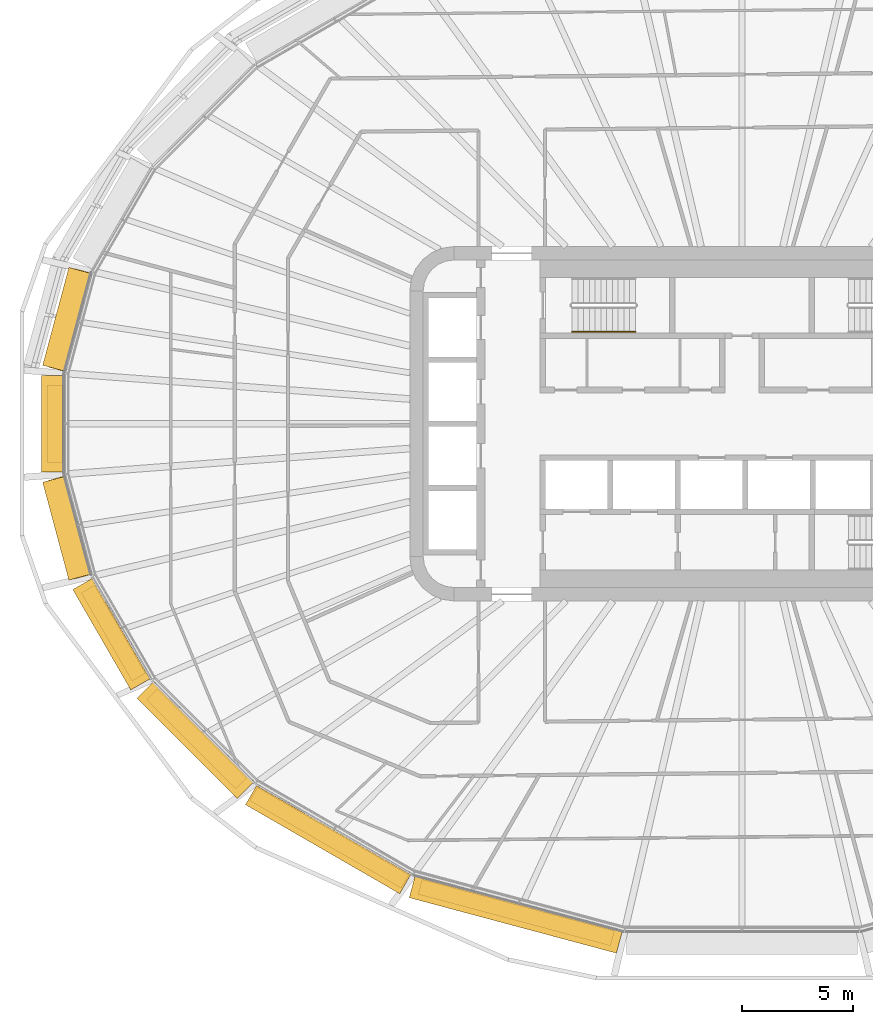
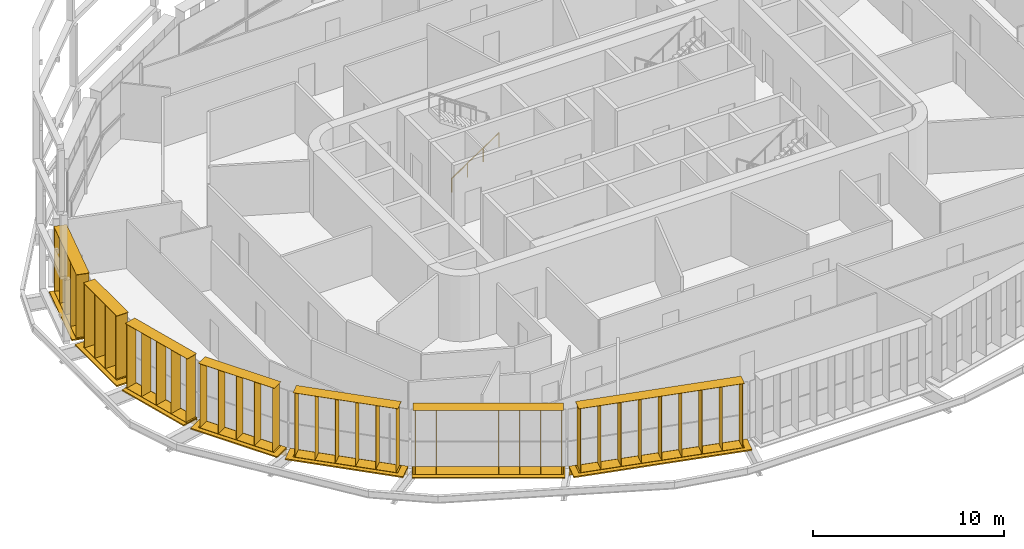
# One storey, part 19 of 24: 14 shading devices, 1 railing.
"""IFC4 building model written with IfcOpenShell, lengths in metres."""

from ifc_helpers import new_model, si_unit, direction, frame, origin, origin_2d, place, context, subcontext, project, spatial, rectangle, circle, extrude, material, type_object, element, save


model = new_model("IFC4")

# Units and contexts
model_context = context("Model", 3, precision=1e-05, world=origin(), true_north=direction((0.0, 1.0)))
body_context = subcontext(model_context, "Body", "Model", "MODEL_VIEW")
ifc_project = project(units=[si_unit("LENGTHUNIT", "METRE"), si_unit("AREAUNIT", "SQUARE_METRE"), si_unit("VOLUMEUNIT", "CUBIC_METRE"), si_unit("PLANEANGLEUNIT", "RADIAN"), si_unit("MASSUNIT", "GRAM", prefix="KILO")], contexts=[model_context])

# Site, building, storey
site_placement = place(None, origin())
site = spatial("IfcSite", under=ifc_project, at=site_placement, CompositionType="ELEMENT")
building_placement = place(site_placement, origin())
building = spatial("IfcBuilding", under=site, at=building_placement, Name="Sahrelin Media Tower", CompositionType="ELEMENT")
storey_placement = place(building_placement, frame((0.0, 0.0, 58.800048828125)))
storey = spatial("IfcBuildingStorey", under=building, at=storey_placement, Name="L09", CompositionType="ELEMENT", Elevation=58.800048828125)

# Shading devices
ifc_material_1 = material(Name="Champagne anodised aluminium 6063-T6", Category="aluminium")
shading_device_type_1 = type_object("IfcShadingDeviceType", Name="Fin cassette", PredefinedType="USERDEFINED", material=ifc_material_1)
placement_1 = place(storey_placement, frame((-30.0009765625, 4.58544921875, 0.0), z_axis=(0.0, 0.0, 1.0), x_axis=(0.258807731996, 0.965928857556, 0.0)))
element("IfcShadingDevice", 1, at=placement_1, inside=storey, type_object=shading_device_type_1, Name="L09:FIN:L09-11", ObjectType="FIN", PredefinedType="USERDEFINED", context=body_context, shape_type="SweptSolid", body=[
    extrude(rectangle(XDim=4.60009765625, YDim=0.699951171875, at=origin_2d()), frame((0.0, 0.419921875, 0.0)), (0.0, 0.0, 1.0), 0.02001953125),
    extrude(rectangle(XDim=4.60009765625, YDim=0.699951171875, at=origin_2d()), frame((0.0, 0.419921875, 4.10009765625)), (0.0, 0.0, 1.0), 0.02001953125),
    extrude(rectangle(XDim=0.02001953125, YDim=0.699951171875, at=origin_2d()), frame((-2.199951171875, 0.419921875, 0.010009765625), z_axis=(0.0, 0.0, 1.0), x_axis=(1.0, 0.0, 0.0)), (0.0, 0.0, 1.0), 4.10009765625),
    extrude(rectangle(XDim=0.02001953125, YDim=0.699951171875, at=origin_2d()), frame((-1.10009765625, 0.419921875, 0.010009765625), z_axis=(0.0, 0.0, 1.0), x_axis=(1.0, 0.0, 0.0)), (0.0, 0.0, 1.0), 4.10009765625),
    extrude(rectangle(XDim=0.02001953125, YDim=0.699951171875, at=origin_2d()), frame((0.0, 0.419921875, 0.010009765625), z_axis=(0.0, 0.0, 1.0), x_axis=(1.0, 0.0, 0.0)), (0.0, 0.0, 1.0), 4.10009765625),
    extrude(rectangle(XDim=0.02001953125, YDim=0.699951171875, at=origin_2d()), frame((1.10009765625, 0.419921875, 0.010009765625), z_axis=(0.0, 0.0, 1.0), x_axis=(1.0, 0.0, 0.0)), (0.0, 0.0, 1.0), 4.10009765625),
    extrude(rectangle(XDim=0.02001953125, YDim=0.699951171875, at=origin_2d()), frame((2.199951171875, 0.419921875, 0.010009765625), z_axis=(0.0, 0.0, 1.0), x_axis=(1.0, 0.0, 0.0)), (0.0, 0.0, 1.0), 4.10009765625),
])
placement_2 = place(storey_placement, frame((-30.618408203125, 0.0, 0.0), z_axis=(0.0, 0.0, 1.0), x_axis=(0.0, 1.0, 0.0)))
element("IfcShadingDevice", 2, at=placement_2, inside=storey, type_object=shading_device_type_1, Name="L09:FIN:L09-12", ObjectType="FIN", PredefinedType="USERDEFINED", context=body_context, shape_type="SweptSolid", body=[
    extrude(rectangle(XDim=3.5, YDim=0.699951171875, at=origin_2d()), frame((0.0, 0.419921875, 0.0)), (0.0, 0.0, 1.0), 0.02001953125),
    extrude(rectangle(XDim=3.5, YDim=0.699951171875, at=origin_2d()), frame((0.0, 0.419921875, 4.10009765625)), (0.0, 0.0, 1.0), 0.02001953125),
    extrude(rectangle(XDim=0.02001953125, YDim=0.699951171875, at=origin_2d()), frame((-1.64990234375, 0.419921875, 0.010009765625), z_axis=(0.0, 0.0, 1.0), x_axis=(1.0, 0.0, 0.0)), (0.0, 0.0, 1.0), 4.10009765625),
    extrude(rectangle(XDim=0.02001953125, YDim=0.699951171875, at=origin_2d()), frame((-0.550048828125, 0.419921875, 0.010009765625), z_axis=(0.0, 0.0, 1.0), x_axis=(1.0, 0.0, 0.0)), (0.0, 0.0, 1.0), 4.10009765625),
    extrude(rectangle(XDim=0.02001953125, YDim=0.699951171875, at=origin_2d()), frame((0.550048828125, 0.419921875, 0.010009765625), z_axis=(0.0, 0.0, 1.0), x_axis=(1.0, 0.0, 0.0)), (0.0, 0.0, 1.0), 4.10009765625),
    extrude(rectangle(XDim=0.02001953125, YDim=0.699951171875, at=origin_2d()), frame((1.64990234375, 0.419921875, 0.010009765625), z_axis=(0.0, 0.0, 1.0), x_axis=(1.0, 0.0, 0.0)), (0.0, 0.0, 1.0), 4.10009765625),
])
placement_3 = place(storey_placement, frame((-30.0009765625, -4.58544921875, 0.0), z_axis=(0.0, 0.0, 1.0), x_axis=(-0.258807731996, 0.965928857556, 0.0)))
element("IfcShadingDevice", 3, at=placement_3, inside=storey, type_object=shading_device_type_1, Name="L09:FIN:L09-13", ObjectType="FIN", PredefinedType="USERDEFINED", context=body_context, shape_type="SweptSolid", body=[
    extrude(rectangle(XDim=4.60009765625, YDim=0.699951171875, at=origin_2d()), frame((0.0, 0.419921875, 0.0)), (0.0, 0.0, 1.0), 0.02001953125),
    extrude(rectangle(XDim=4.60009765625, YDim=0.699951171875, at=origin_2d()), frame((0.0, 0.419921875, 4.10009765625)), (0.0, 0.0, 1.0), 0.02001953125),
    extrude(rectangle(XDim=0.02001953125, YDim=0.699951171875, at=origin_2d()), frame((-2.199951171875, 0.419921875, 0.010009765625), z_axis=(0.0, 0.0, 1.0), x_axis=(1.0, 0.0, 0.0)), (0.0, 0.0, 1.0), 4.10009765625),
    extrude(rectangle(XDim=0.02001953125, YDim=0.699951171875, at=origin_2d()), frame((-1.10009765625, 0.419921875, 0.010009765625), z_axis=(0.0, 0.0, 1.0), x_axis=(1.0, 0.0, 0.0)), (0.0, 0.0, 1.0), 4.10009765625),
    extrude(rectangle(XDim=0.02001953125, YDim=0.699951171875, at=origin_2d()), frame((0.0, 0.419921875, 0.010009765625), z_axis=(0.0, 0.0, 1.0), x_axis=(1.0, 0.0, 0.0)), (0.0, 0.0, 1.0), 4.10009765625),
    extrude(rectangle(XDim=0.02001953125, YDim=0.699951171875, at=origin_2d()), frame((1.10009765625, 0.419921875, 0.010009765625), z_axis=(0.0, 0.0, 1.0), x_axis=(1.0, 0.0, 0.0)), (0.0, 0.0, 1.0), 4.10009765625),
    extrude(rectangle(XDim=0.02001953125, YDim=0.699951171875, at=origin_2d()), frame((2.199951171875, 0.419921875, 0.010009765625), z_axis=(0.0, 0.0, 1.0), x_axis=(1.0, 0.0, 0.0)), (0.0, 0.0, 1.0), 4.10009765625),
])
placement_4 = place(storey_placement, frame((-28.025390625, -9.2421875, 0.0), z_axis=(0.0, 0.0, 1.0), x_axis=(-0.500011000363, 0.866019052629, 0.0)))
element("IfcShadingDevice", 4, at=placement_4, inside=storey, type_object=shading_device_type_1, Name="L09:FIN:L09-14", ObjectType="FIN", PredefinedType="USERDEFINED", context=body_context, shape_type="SweptSolid", body=[
    extrude(rectangle(XDim=4.60009765625, YDim=0.699951171875, at=origin_2d()), frame((0.0, 0.419921875, 0.0)), (0.0, 0.0, 1.0), 0.02001953125),
    extrude(rectangle(XDim=4.60009765625, YDim=0.699951171875, at=origin_2d()), frame((0.0, 0.419921875, 4.10009765625)), (0.0, 0.0, 1.0), 0.02001953125),
    extrude(rectangle(XDim=0.02001953125, YDim=0.699951171875, at=origin_2d()), frame((-2.199951171875, 0.419921875, 0.010009765625), z_axis=(0.0, 0.0, 1.0), x_axis=(1.0, 0.0, 0.0)), (0.0, 0.0, 1.0), 4.10009765625),
    extrude(rectangle(XDim=0.02001953125, YDim=0.699951171875, at=origin_2d()), frame((-1.10009765625, 0.419921875, 0.010009765625), z_axis=(0.0, 0.0, 1.0), x_axis=(1.0, 0.0, 0.0)), (0.0, 0.0, 1.0), 4.10009765625),
    extrude(rectangle(XDim=0.02001953125, YDim=0.699951171875, at=origin_2d()), frame((0.0, 0.419921875, 0.010009765625), z_axis=(0.0, 0.0, 1.0), x_axis=(1.0, 0.0, 0.0)), (0.0, 0.0, 1.0), 4.10009765625),
    extrude(rectangle(XDim=0.02001953125, YDim=0.699951171875, at=origin_2d()), frame((1.10009765625, 0.419921875, 0.010009765625), z_axis=(0.0, 0.0, 1.0), x_axis=(1.0, 0.0, 0.0)), (0.0, 0.0, 1.0), 4.10009765625),
    extrude(rectangle(XDim=0.02001953125, YDim=0.699951171875, at=origin_2d()), frame((2.199951171875, 0.419921875, 0.010009765625), z_axis=(0.0, 0.0, 1.0), x_axis=(1.0, 0.0, 0.0)), (0.0, 0.0, 1.0), 4.10009765625),
])
placement_5 = place(storey_placement, frame((-24.331787109375, -13.929931640625, 0.0), z_axis=(0.0, 0.0, 1.0), x_axis=(-0.707106781187, 0.707106781187, 0.0)))
element("IfcShadingDevice", 5, at=placement_5, inside=storey, type_object=shading_device_type_1, Name="L09:FIN:L09-15", ObjectType="FIN", PredefinedType="USERDEFINED", context=body_context, shape_type="SweptSolid", body=[
    extrude(rectangle(XDim=5.699951171875, YDim=0.699951171875, at=origin_2d()), frame((0.0, 0.419921875, 0.0)), (0.0, 0.0, 1.0), 0.02001953125),
    extrude(rectangle(XDim=5.699951171875, YDim=0.699951171875, at=origin_2d()), frame((0.0, 0.419921875, 4.10009765625)), (0.0, 0.0, 1.0), 0.02001953125),
    extrude(rectangle(XDim=0.02001953125, YDim=0.699951171875, at=origin_2d()), frame((-2.75, 0.419921875, 0.010009765625), z_axis=(0.0, 0.0, 1.0), x_axis=(1.0, 0.0, 0.0)), (0.0, 0.0, 1.0), 4.10009765625),
    extrude(rectangle(XDim=0.02001953125, YDim=0.699951171875, at=origin_2d()), frame((-1.64990234375, 0.419921875, 0.010009765625), z_axis=(0.0, 0.0, 1.0), x_axis=(1.0, 0.0, 0.0)), (0.0, 0.0, 1.0), 4.10009765625),
    extrude(rectangle(XDim=0.02001953125, YDim=0.699951171875, at=origin_2d()), frame((-0.550048828125, 0.419921875, 0.010009765625), z_axis=(0.0, 0.0, 1.0), x_axis=(1.0, 0.0, 0.0)), (0.0, 0.0, 1.0), 4.10009765625),
    extrude(rectangle(XDim=0.02001953125, YDim=0.699951171875, at=origin_2d()), frame((0.550048828125, 0.419921875, 0.010009765625), z_axis=(0.0, 0.0, 1.0), x_axis=(1.0, 0.0, 0.0)), (0.0, 0.0, 1.0), 4.10009765625),
    extrude(rectangle(XDim=0.02001953125, YDim=0.699951171875, at=origin_2d()), frame((1.64990234375, 0.419921875, 0.010009765625), z_axis=(0.0, 0.0, 1.0), x_axis=(1.0, 0.0, 0.0)), (0.0, 0.0, 1.0), 4.10009765625),
    extrude(rectangle(XDim=0.02001953125, YDim=0.699951171875, at=origin_2d()), frame((2.75, 0.419921875, 0.010009765625), z_axis=(0.0, 0.0, 1.0), x_axis=(1.0, 0.0, 0.0)), (0.0, 0.0, 1.0), 4.10009765625),
])
placement_6 = place(storey_placement, frame((-18.427490234375, -18.32568359375, 0.0), z_axis=(0.0, 0.0, 1.0), x_axis=(-0.866019052629, 0.500011000363, 0.0)))
element("IfcShadingDevice", 6, at=placement_6, inside=storey, type_object=shading_device_type_1, Name="L09:FIN:L09-16", ObjectType="FIN", PredefinedType="USERDEFINED", context=body_context, shape_type="SweptSolid", body=[
    extrude(rectangle(XDim=7.89990234375, YDim=0.699951171875, at=origin_2d()), frame((0.0, 0.419921875, 0.0)), (0.0, 0.0, 1.0), 0.02001953125),
    extrude(rectangle(XDim=7.89990234375, YDim=0.699951171875, at=origin_2d()), frame((0.0, 0.419921875, 4.10009765625)), (0.0, 0.0, 1.0), 0.02001953125),
    extrude(rectangle(XDim=0.02001953125, YDim=0.699951171875, at=origin_2d()), frame((-3.85009765625, 0.419921875, 0.010009765625), z_axis=(0.0, 0.0, 1.0), x_axis=(1.0, 0.0, 0.0)), (0.0, 0.0, 1.0), 4.10009765625),
    extrude(rectangle(XDim=0.02001953125, YDim=0.699951171875, at=origin_2d()), frame((-2.75, 0.419921875, 0.010009765625), z_axis=(0.0, 0.0, 1.0), x_axis=(1.0, 0.0, 0.0)), (0.0, 0.0, 1.0), 4.10009765625),
    extrude(rectangle(XDim=0.02001953125, YDim=0.699951171875, at=origin_2d()), frame((-1.64990234375, 0.419921875, 0.010009765625), z_axis=(0.0, 0.0, 1.0), x_axis=(1.0, 0.0, 0.0)), (0.0, 0.0, 1.0), 4.10009765625),
    extrude(rectangle(XDim=0.02001953125, YDim=0.699951171875, at=origin_2d()), frame((-0.550048828125, 0.419921875, 0.010009765625), z_axis=(0.0, 0.0, 1.0), x_axis=(1.0, 0.0, 0.0)), (0.0, 0.0, 1.0), 4.10009765625),
    extrude(rectangle(XDim=0.02001953125, YDim=0.699951171875, at=origin_2d()), frame((0.550048828125, 0.419921875, 0.010009765625), z_axis=(0.0, 0.0, 1.0), x_axis=(1.0, 0.0, 0.0)), (0.0, 0.0, 1.0), 4.10009765625),
    extrude(rectangle(XDim=0.02001953125, YDim=0.699951171875, at=origin_2d()), frame((1.64990234375, 0.419921875, 0.010009765625), z_axis=(0.0, 0.0, 1.0), x_axis=(1.0, 0.0, 0.0)), (0.0, 0.0, 1.0), 4.10009765625),
    extrude(rectangle(XDim=0.02001953125, YDim=0.699951171875, at=origin_2d()), frame((2.75, 0.419921875, 0.010009765625), z_axis=(0.0, 0.0, 1.0), x_axis=(1.0, 0.0, 0.0)), (0.0, 0.0, 1.0), 4.10009765625),
    extrude(rectangle(XDim=0.02001953125, YDim=0.699951171875, at=origin_2d()), frame((3.85009765625, 0.419921875, 0.010009765625), z_axis=(0.0, 0.0, 1.0), x_axis=(1.0, 0.0, 0.0)), (0.0, 0.0, 1.0), 4.10009765625),
])
placement_7 = place(storey_placement, frame((-10.083984375, -21.665771484375, 0.0), z_axis=(0.0, 0.0, 1.0), x_axis=(-0.965928857556, 0.258807731996, 0.0)))
element("IfcShadingDevice", 7, at=placement_7, inside=storey, type_object=shading_device_type_1, Name="L09:FIN:L09-17", ObjectType="FIN", PredefinedType="USERDEFINED", context=body_context, shape_type="SweptSolid", body=[
    extrude(rectangle(XDim=9.0, YDim=0.699951171875, at=origin_2d()), frame((0.0, 0.419921875, 0.0)), (0.0, 0.0, 1.0), 0.02001953125),
    extrude(rectangle(XDim=9.0, YDim=0.699951171875, at=origin_2d()), frame((0.0, 0.419921875, 4.10009765625)), (0.0, 0.0, 1.0), 0.02001953125),
    extrude(rectangle(XDim=0.02001953125, YDim=0.699951171875, at=origin_2d()), frame((-4.39990234375, 0.419921875, 0.010009765625), z_axis=(0.0, 0.0, 1.0), x_axis=(1.0, 0.0, 0.0)), (0.0, 0.0, 1.0), 4.10009765625),
    extrude(rectangle(XDim=0.02001953125, YDim=0.699951171875, at=origin_2d()), frame((-3.300048828125, 0.419921875, 0.010009765625), z_axis=(0.0, 0.0, 1.0), x_axis=(1.0, 0.0, 0.0)), (0.0, 0.0, 1.0), 4.10009765625),
    extrude(rectangle(XDim=0.02001953125, YDim=0.699951171875, at=origin_2d()), frame((-2.199951171875, 0.419921875, 0.010009765625), z_axis=(0.0, 0.0, 1.0), x_axis=(1.0, 0.0, 0.0)), (0.0, 0.0, 1.0), 4.10009765625),
    extrude(rectangle(XDim=0.02001953125, YDim=0.699951171875, at=origin_2d()), frame((-1.10009765625, 0.419921875, 0.010009765625), z_axis=(0.0, 0.0, 1.0), x_axis=(1.0, 0.0, 0.0)), (0.0, 0.0, 1.0), 4.10009765625),
    extrude(rectangle(XDim=0.02001953125, YDim=0.699951171875, at=origin_2d()), frame((0.0, 0.419921875, 0.010009765625), z_axis=(0.0, 0.0, 1.0), x_axis=(1.0, 0.0, 0.0)), (0.0, 0.0, 1.0), 4.10009765625),
    extrude(rectangle(XDim=0.02001953125, YDim=0.699951171875, at=origin_2d()), frame((1.10009765625, 0.419921875, 0.010009765625), z_axis=(0.0, 0.0, 1.0), x_axis=(1.0, 0.0, 0.0)), (0.0, 0.0, 1.0), 4.10009765625),
    extrude(rectangle(XDim=0.02001953125, YDim=0.699951171875, at=origin_2d()), frame((2.199951171875, 0.419921875, 0.010009765625), z_axis=(0.0, 0.0, 1.0), x_axis=(1.0, 0.0, 0.0)), (0.0, 0.0, 1.0), 4.10009765625),
    extrude(rectangle(XDim=0.02001953125, YDim=0.699951171875, at=origin_2d()), frame((3.300048828125, 0.419921875, 0.010009765625), z_axis=(0.0, 0.0, 1.0), x_axis=(1.0, 0.0, 0.0)), (0.0, 0.0, 1.0), 4.10009765625),
    extrude(rectangle(XDim=0.02001953125, YDim=0.699951171875, at=origin_2d()), frame((4.39990234375, 0.419921875, 0.010009765625), z_axis=(0.0, 0.0, 1.0), x_axis=(1.0, 0.0, 0.0)), (0.0, 0.0, 1.0), 4.10009765625),
])

# Railing
ifc_material_2 = material(Name="Steel S355", Category="steel")
railing_type = type_object("IfcRailingType", Name="Stair handrail 900", PredefinedType="HANDRAIL", material=ifc_material_2)
railing_placement = place(storey_placement, frame((-7.675048828125, 4.14990234375, 0.175048828125)))
element("IfcRailing", 8, at=railing_placement, inside=storey, type_object=railing_type, Name="L09 ST1 stair handrail 1", PredefinedType="HANDRAIL", context=body_context, shape_type="SweptSolid", body=[
    extrude(circle(Radius=0.02392578125, at=origin_2d()), frame((0.0, 0.0, 0.8759765625), z_axis=(0.829623704247, 0.0, 0.558322943601), x_axis=(0.0, 1.0, 0.0)), (0.0, 0.0, 1.0), 3.447509765625),
    extrude(circle(Radius=0.02099609375, at=origin_2d()), origin(), (0.0, 0.0, 1.0), 0.851806640625),
    extrude(circle(Radius=0.02099609375, at=origin_2d()), frame((0.953369140625, 0.0, 0.6416015625)), (0.0, 0.0, 1.0), 0.851806640625),
    extrude(circle(Radius=0.02099609375, at=origin_2d()), frame((1.90673828125, 0.0, 1.283203125)), (0.0, 0.0, 1.0), 0.851806640625),
    extrude(circle(Radius=0.02099609375, at=origin_2d()), frame((2.860107421875, 0.0, 1.9248046875)), (0.0, 0.0, 1.0), 0.851806640625),
])

# Shading devices
shading_device_type_2 = type_object("IfcShadingDeviceType", Name="Sunshade band", PredefinedType="USERDEFINED", material=ifc_material_1)
element("IfcShadingDevice", 9, at=placement_1, inside=storey, type_object=shading_device_type_2, Name="L09:SUN:L09-11", ObjectType="SUNSHADE", PredefinedType="USERDEFINED", context=body_context, shape_type="SweptSolid", body=[
    extrude(rectangle(XDim=4.57177734375, YDim=0.050048828125, at=origin_2d()), frame((0.0, 0.044921875, -0.55126953125)), (0.0, 0.0, 1.0), 0.471435546875),
    extrude(rectangle(XDim=4.57177734375, YDim=1.0, at=origin_2d()), frame((0.0, 0.52001953125, -0.080078125)), (0.0, 0.0, 1.0), 0.080078125),
    extrude(rectangle(XDim=0.10009765625, YDim=0.074951171875, at=origin_2d()), frame((-2.185791015625, -0.017578125, -0.47021484375)), (0.0, 0.0, 1.0), 0.300048828125),
    extrude(rectangle(XDim=0.10009765625, YDim=0.074951171875, at=origin_2d()), frame((-0.728515625, -0.017578125, -0.47021484375)), (0.0, 0.0, 1.0), 0.300048828125),
    extrude(rectangle(XDim=0.10009765625, YDim=0.074951171875, at=origin_2d()), frame((0.728515625, -0.017578125, -0.47021484375)), (0.0, 0.0, 1.0), 0.300048828125),
    extrude(rectangle(XDim=0.10009765625, YDim=0.074951171875, at=origin_2d()), frame((2.185791015625, -0.017578125, -0.47021484375)), (0.0, 0.0, 1.0), 0.300048828125),
])
element("IfcShadingDevice", 10, at=placement_2, inside=storey, type_object=shading_device_type_2, Name="L09:SUN:L09-12", ObjectType="SUNSHADE", PredefinedType="USERDEFINED", context=body_context, shape_type="SweptSolid", body=[
    extrude(rectangle(XDim=4.36181640625, YDim=0.050048828125, at=origin_2d()), frame((0.0, 0.044921875, -0.55126953125)), (0.0, 0.0, 1.0), 0.471435546875),
    extrude(rectangle(XDim=4.36181640625, YDim=1.0, at=origin_2d()), frame((0.0, 0.52001953125, -0.080078125)), (0.0, 0.0, 1.0), 0.080078125),
    extrude(rectangle(XDim=0.10009765625, YDim=0.074951171875, at=origin_2d()), frame((-2.080810546875, -0.017578125, -0.47021484375)), (0.0, 0.0, 1.0), 0.300048828125),
    extrude(rectangle(XDim=0.10009765625, YDim=0.074951171875, at=origin_2d()), frame((-0.693603515625, -0.017578125, -0.47021484375)), (0.0, 0.0, 1.0), 0.300048828125),
    extrude(rectangle(XDim=0.10009765625, YDim=0.074951171875, at=origin_2d()), frame((0.693603515625, -0.017578125, -0.47021484375)), (0.0, 0.0, 1.0), 0.300048828125),
    extrude(rectangle(XDim=0.10009765625, YDim=0.074951171875, at=origin_2d()), frame((2.080810546875, -0.017578125, -0.47021484375)), (0.0, 0.0, 1.0), 0.300048828125),
])
element("IfcShadingDevice", 11, at=placement_3, inside=storey, type_object=shading_device_type_2, Name="L09:SUN:L09-13", ObjectType="SUNSHADE", PredefinedType="USERDEFINED", context=body_context, shape_type="SweptSolid", body=[
    extrude(rectangle(XDim=4.57177734375, YDim=0.050048828125, at=origin_2d()), frame((0.0, 0.044921875, -0.55126953125)), (0.0, 0.0, 1.0), 0.471435546875),
    extrude(rectangle(XDim=4.57177734375, YDim=1.0, at=origin_2d()), frame((0.0, 0.52001953125, -0.080078125)), (0.0, 0.0, 1.0), 0.080078125),
    extrude(rectangle(XDim=0.10009765625, YDim=0.074951171875, at=origin_2d()), frame((-2.185791015625, -0.017578125, -0.47021484375)), (0.0, 0.0, 1.0), 0.300048828125),
    extrude(rectangle(XDim=0.10009765625, YDim=0.074951171875, at=origin_2d()), frame((-0.728515625, -0.017578125, -0.47021484375)), (0.0, 0.0, 1.0), 0.300048828125),
    extrude(rectangle(XDim=0.10009765625, YDim=0.074951171875, at=origin_2d()), frame((0.728515625, -0.017578125, -0.47021484375)), (0.0, 0.0, 1.0), 0.300048828125),
    extrude(rectangle(XDim=0.10009765625, YDim=0.074951171875, at=origin_2d()), frame((2.185791015625, -0.017578125, -0.47021484375)), (0.0, 0.0, 1.0), 0.300048828125),
])
element("IfcShadingDevice", 12, at=placement_4, inside=storey, type_object=shading_device_type_2, Name="L09:SUN:L09-14", ObjectType="SUNSHADE", PredefinedType="USERDEFINED", context=body_context, shape_type="SweptSolid", body=[
    extrude(rectangle(XDim=5.232421875, YDim=0.050048828125, at=origin_2d()), frame((0.0, 0.044921875, -0.55126953125)), (0.0, 0.0, 1.0), 0.471435546875),
    extrude(rectangle(XDim=5.232421875, YDim=1.0, at=origin_2d()), frame((0.0, 0.52001953125, -0.080078125)), (0.0, 0.0, 1.0), 0.080078125),
    extrude(rectangle(XDim=0.10009765625, YDim=0.074951171875, at=origin_2d()), frame((-2.51611328125, -0.017578125, -0.47021484375)), (0.0, 0.0, 1.0), 0.300048828125),
    extrude(rectangle(XDim=0.10009765625, YDim=0.074951171875, at=origin_2d()), frame((-0.838623046875, -0.017578125, -0.47021484375)), (0.0, 0.0, 1.0), 0.300048828125),
    extrude(rectangle(XDim=0.10009765625, YDim=0.074951171875, at=origin_2d()), frame((0.838623046875, -0.017578125, -0.47021484375)), (0.0, 0.0, 1.0), 0.300048828125),
    extrude(rectangle(XDim=0.10009765625, YDim=0.074951171875, at=origin_2d()), frame((2.51611328125, -0.017578125, -0.47021484375)), (0.0, 0.0, 1.0), 0.300048828125),
])
element("IfcShadingDevice", 13, at=placement_5, inside=storey, type_object=shading_device_type_2, Name="L09:SUN:L09-15", ObjectType="SUNSHADE", PredefinedType="USERDEFINED", context=body_context, shape_type="SweptSolid", body=[
    extrude(rectangle(XDim=6.40576171875, YDim=0.050048828125, at=origin_2d()), frame((0.0, 0.044921875, -0.55126953125)), (0.0, 0.0, 1.0), 0.471435546875),
    extrude(rectangle(XDim=6.40576171875, YDim=1.0, at=origin_2d()), frame((0.0, 0.52001953125, -0.080078125)), (0.0, 0.0, 1.0), 0.080078125),
    extrude(rectangle(XDim=0.10009765625, YDim=0.074951171875, at=origin_2d()), frame((-3.102783203125, -0.017578125, -0.47021484375)), (0.0, 0.0, 1.0), 0.300048828125),
    extrude(rectangle(XDim=0.10009765625, YDim=0.074951171875, at=origin_2d()), frame((-1.551513671875, -0.017578125, -0.47021484375)), (0.0, 0.0, 1.0), 0.300048828125),
    extrude(rectangle(XDim=0.10009765625, YDim=0.074951171875, at=origin_2d()), frame((0.0, -0.017578125, -0.47021484375)), (0.0, 0.0, 1.0), 0.300048828125),
    extrude(rectangle(XDim=0.10009765625, YDim=0.074951171875, at=origin_2d()), frame((1.551513671875, -0.017578125, -0.47021484375)), (0.0, 0.0, 1.0), 0.300048828125),
    extrude(rectangle(XDim=0.10009765625, YDim=0.074951171875, at=origin_2d()), frame((3.102783203125, -0.017578125, -0.47021484375)), (0.0, 0.0, 1.0), 0.300048828125),
])
element("IfcShadingDevice", 14, at=placement_6, inside=storey, type_object=shading_device_type_2, Name="L09:SUN:L09-16", ObjectType="SUNSHADE", PredefinedType="USERDEFINED", context=body_context, shape_type="SweptSolid", body=[
    extrude(rectangle(XDim=8.041748046875, YDim=0.050048828125, at=origin_2d()), frame((0.0, 0.044921875, -0.55126953125)), (0.0, 0.0, 1.0), 0.471435546875),
    extrude(rectangle(XDim=8.041748046875, YDim=1.0, at=origin_2d()), frame((0.0, 0.52001953125, -0.080078125)), (0.0, 0.0, 1.0), 0.080078125),
    extrude(rectangle(XDim=0.10009765625, YDim=0.074951171875, at=origin_2d()), frame((-3.9208984375, -0.017578125, -0.47021484375)), (0.0, 0.0, 1.0), 0.300048828125),
    extrude(rectangle(XDim=0.10009765625, YDim=0.074951171875, at=origin_2d()), frame((-2.3525390625, -0.017578125, -0.47021484375)), (0.0, 0.0, 1.0), 0.300048828125),
    extrude(rectangle(XDim=0.10009765625, YDim=0.074951171875, at=origin_2d()), frame((-0.7841796875, -0.017578125, -0.47021484375)), (0.0, 0.0, 1.0), 0.300048828125),
    extrude(rectangle(XDim=0.10009765625, YDim=0.074951171875, at=origin_2d()), frame((0.7841796875, -0.017578125, -0.47021484375)), (0.0, 0.0, 1.0), 0.300048828125),
    extrude(rectangle(XDim=0.10009765625, YDim=0.074951171875, at=origin_2d()), frame((2.3525390625, -0.017578125, -0.47021484375)), (0.0, 0.0, 1.0), 0.300048828125),
    extrude(rectangle(XDim=0.10009765625, YDim=0.074951171875, at=origin_2d()), frame((3.9208984375, -0.017578125, -0.47021484375)), (0.0, 0.0, 1.0), 0.300048828125),
])
element("IfcShadingDevice", 15, at=placement_7, inside=storey, type_object=shading_device_type_2, Name="L09:SUN:L09-17", ObjectType="SUNSHADE", PredefinedType="USERDEFINED", context=body_context, shape_type="SweptSolid", body=[
    extrude(rectangle(XDim=9.686279296875, YDim=0.050048828125, at=origin_2d()), frame((0.0, 0.044921875, -0.55126953125)), (0.0, 0.0, 1.0), 0.471435546875),
    extrude(rectangle(XDim=9.686279296875, YDim=1.0, at=origin_2d()), frame((0.0, 0.52001953125, -0.080078125)), (0.0, 0.0, 1.0), 0.080078125),
    extrude(rectangle(XDim=0.10009765625, YDim=0.074951171875, at=origin_2d()), frame((-4.7431640625, -0.017578125, -0.47021484375)), (0.0, 0.0, 1.0), 0.300048828125),
    extrude(rectangle(XDim=0.10009765625, YDim=0.074951171875, at=origin_2d()), frame((-2.845947265625, -0.017578125, -0.47021484375)), (0.0, 0.0, 1.0), 0.300048828125),
    extrude(rectangle(XDim=0.10009765625, YDim=0.074951171875, at=origin_2d()), frame((-0.948486328125, -0.017578125, -0.47021484375)), (0.0, 0.0, 1.0), 0.300048828125),
    extrude(rectangle(XDim=0.10009765625, YDim=0.074951171875, at=origin_2d()), frame((0.948486328125, -0.017578125, -0.47021484375)), (0.0, 0.0, 1.0), 0.300048828125),
    extrude(rectangle(XDim=0.10009765625, YDim=0.074951171875, at=origin_2d()), frame((2.845947265625, -0.017578125, -0.47021484375)), (0.0, 0.0, 1.0), 0.300048828125),
    extrude(rectangle(XDim=0.10009765625, YDim=0.074951171875, at=origin_2d()), frame((4.7431640625, -0.017578125, -0.47021484375)), (0.0, 0.0, 1.0), 0.300048828125),
])

save(model, "model.ifc")
